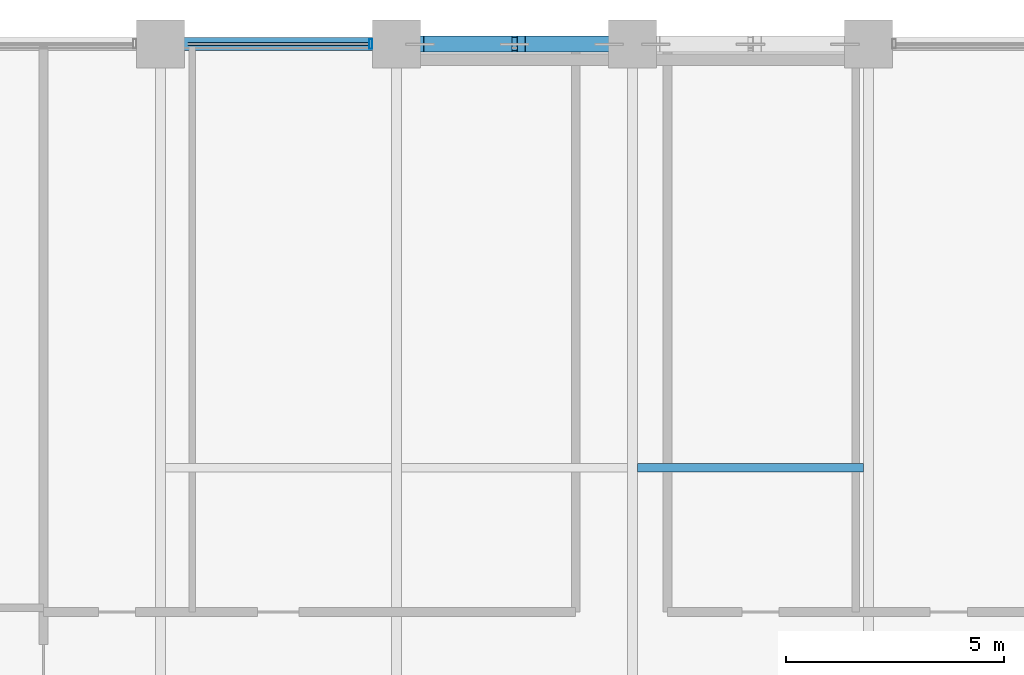
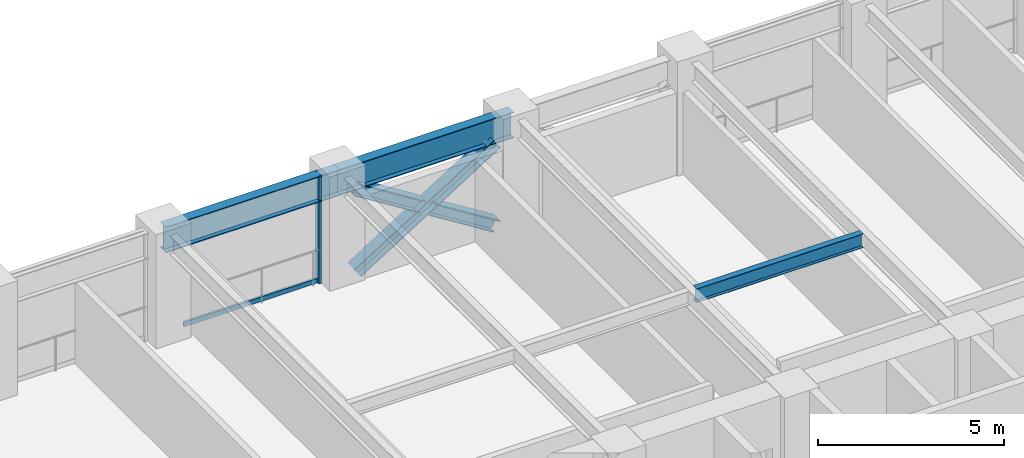
# One storey, part 14 of 30: 5 members, 3 beams, 1 element without a shape of its own.
"""IFC4 building model written with IfcOpenShell, lengths in metres."""

import ifcopenshell
import ifcopenshell.guid

model = None  # the IFC model being written
_history = None  # IfcOwnerHistory: only IFC2X3 demands one
_inside = {}  # id of a spatial element -> (the spatial element, [elements in it])
_under = {}  # id of a project, library or spatial element -> (it, [spatial elements below it])
_declared = {}  # id of a project -> (the project, [libraries it declares])
_typed = {}  # id of a type object -> (the type object, [elements of that type])
_made_of = {}  # id of a material, layer set ... -> (it, [elements and type objects made of it])


def new_model(schema):
    """Start an empty IFC model of exactly this schema.

    Asked for "IFC4X3", IfcOpenShell would pick the latest addendum, in which some entities
    have other attributes; the version numbers below select the first issue.
    IFC2X3 requires an IfcOwnerHistory on every rooted entity: one is made here for all.
    """
    global model, _history
    if schema == "IFC4X3":
        model = ifcopenshell.file(schema_version=(4, 3, 0, 0))
    else:
        model = ifcopenshell.file(schema=schema)
    _inside.clear()
    _under.clear()
    _declared.clear()
    _typed.clear()
    _made_of.clear()
    _history = None
    if model.schema == "IFC2X3":
        org = make("IfcOrganization", Name="unknown")
        user = make(
            "IfcPersonAndOrganization",
            ThePerson=make("IfcPerson", FamilyName="unknown"),
            TheOrganization=org,
        )
        app = make(
            "IfcApplication",
            ApplicationDeveloper=org,
            Version="unknown",
            ApplicationFullName="unknown",
            ApplicationIdentifier="unknown",
        )
        _history = make(
            "IfcOwnerHistory",
            OwningUser=user,
            OwningApplication=app,
            ChangeAction="ADDED",
            CreationDate=0,
        )
    return model


def make(cls, **values):
    """One entity of the class cls with the attributes given. An attribute that is None is left unset."""
    return model.create_entity(
        cls, **{name: value for name, value in values.items() if value is not None}
    )


def rooted(cls, **values):
    """An entity with a GlobalId (a new one), such as an element, a storey or a relation."""
    return make(cls, GlobalId=ifcopenshell.guid.new(), OwnerHistory=_history, **values)


def si_unit(unit_type, name, prefix=None):
    """IfcSIUnit, for example si_unit("LENGTHUNIT", "METRE", prefix="MILLI")."""
    return make("IfcSIUnit", UnitType=unit_type, Prefix=prefix, Name=name)


def assignment(units):
    """IfcUnitAssignment: the units of a project."""
    return None if units is None else make("IfcUnitAssignment", Units=units)


def point(xyz):
    """IfcCartesianPoint."""
    return None if xyz is None else make("IfcCartesianPoint", Coordinates=xyz)


def direction(xyz):
    """IfcDirection."""
    return None if xyz is None else make("IfcDirection", DirectionRatios=xyz)


def frame(location, z_axis=None, x_axis=None):
    """IfcAxis2Placement3D, a coordinate frame: its origin and axes. An axis left out is left unset."""
    return make(
        "IfcAxis2Placement3D",
        Location=point(location),
        Axis=direction(z_axis),
        RefDirection=direction(x_axis),
    )


def frame_2d(location, x_axis=None):
    """IfcAxis2Placement2D, a coordinate frame in the plane: its origin and x axis."""
    return make(
        "IfcAxis2Placement2D", Location=point(location), RefDirection=direction(x_axis)
    )


def origin():
    """The frame at (0, 0, 0) with its axes left unset."""
    return frame((0.0, 0.0, 0.0))


def origin_2d():
    """The frame at (0, 0) in the plane with its x axis left unset."""
    return frame_2d((0.0, 0.0))


def place(relative_to, where):
    """IfcLocalPlacement: puts the frame where relative to a parent placement (None: the world)."""
    return make(
        "IfcLocalPlacement", PlacementRelTo=relative_to, RelativePlacement=where
    )


def context(
    kind, dimensions, precision=None, world=None, true_north=None, identifier=None
):
    """IfcGeometricRepresentationContext, for example the 3D "Model" context."""
    return make(
        "IfcGeometricRepresentationContext",
        ContextIdentifier=identifier,
        ContextType=kind,
        CoordinateSpaceDimension=dimensions,
        Precision=precision,
        WorldCoordinateSystem=world,
        TrueNorth=true_north,
    )


def subcontext(parent, identifier, kind, view, scale=None):
    """IfcGeometricRepresentationSubContext, for example "Body" below "Model"."""
    return make(
        "IfcGeometricRepresentationSubContext",
        ContextIdentifier=identifier,
        ContextType=kind,
        ParentContext=parent,
        TargetScale=scale,
        TargetView=view,
    )


def project(units=None, contexts=None):
    """IfcProject with its units and contexts."""
    return rooted(
        "IfcProject",
        Name="project",
        RepresentationContexts=contexts,
        UnitsInContext=assignment(units),
    )


def spatial(cls, under=None, at=None, **own):
    """A site, building, storey or space (cls), placed at a placement, below another one or the project."""
    s = rooted(cls, ObjectPlacement=at, **own)
    if under is not None:
        _under.setdefault(under.id(), (under, []))[1].append(s)
    return s


def profile(cls, at=None, kind="AREA", **sizes):
    """A parametric profile (cls). Its sizes go by their IFC names, for example OverallWidth=200.0."""
    return make(cls, ProfileType=kind, Position=at, **sizes)


def hollow_rectangle(**sizes):
    """IfcRectangleHollowProfileDef."""
    return profile("IfcRectangleHollowProfileDef", **sizes)


def i_section(**sizes):
    """IfcIShapeProfileDef."""
    return profile("IfcIShapeProfileDef", **sizes)


def extrude(swept, where, along, depth):
    """IfcExtrudedAreaSolid: the profile swept, set in the frame where, extruded along a direction by depth."""
    return make(
        "IfcExtrudedAreaSolid",
        SweptArea=swept,
        Position=where,
        ExtrudedDirection=direction(along),
        Depth=depth,
    )


def shape(context_of_items, identifier, shape_type, items):
    """IfcShapeRepresentation: the items that make up one representation, for example the "Body"."""
    return make(
        "IfcShapeRepresentation",
        ContextOfItems=context_of_items,
        RepresentationIdentifier=identifier,
        RepresentationType=shape_type,
        Items=items,
    )


def material(Name=None, Category=None):
    """IfcMaterial."""
    return make("IfcMaterial", Name=Name, Category=Category)


def layer(
    of_material, thickness, ventilated=None, Name=None, Category=None, Priority=None
):
    """IfcMaterialLayer: one layer of a wall or slab, of a material (None: an air gap)."""
    return make(
        "IfcMaterialLayer",
        Material=of_material,
        LayerThickness=thickness,
        IsVentilated=ventilated,
        Name=Name,
        Category=Category,
        Priority=Priority,
    )


def layer_set(layers, Name=None):
    """IfcMaterialLayerSet."""
    return make("IfcMaterialLayerSet", MaterialLayers=layers, LayerSetName=Name)


def material_profile(
    of_material, cross_section, Name=None, Category=None, Priority=None
):
    """IfcMaterialProfile: a cross section and its material."""
    return make(
        "IfcMaterialProfile",
        Name=Name,
        Material=of_material,
        Profile=cross_section,
        Priority=Priority,
        Category=Category,
    )


def profile_set(profiles, Name=None, composite=None):
    """IfcMaterialProfileSet."""
    return make(
        "IfcMaterialProfileSet",
        Name=Name,
        MaterialProfiles=profiles,
        CompositeProfile=composite,
    )


def made_of(thing, what):
    """Note that an element or type object is made of a material, layer set ...; save() writes the relation."""
    if what is not None:
        _made_of.setdefault(what.id(), (what, []))[1].append(thing)
    return thing


def type_object(cls, material=None, **own):
    """A type object (cls), such as IfcWallType, which elements share."""
    return made_of(rooted(cls, **own), material)


def element(
    cls,
    number,
    at=None,
    inside=None,
    cuts=None,
    type_object=None,
    material=None,
    context=None,
    identifier="Body",
    shape_type=None,
    held_by="IfcProductDefinitionShape",
    body=None,
    shapes=None,
    **own,
):
    """One element of the class cls, such as IfcWall. Its Tag is "e" and its number.

    at: its placement. inside: the storey or other place that contains it. cuts: it is an
    opening in that element (IfcRelVoidsElement). A single representation is given by context,
    identifier, shape_type and body (its items); several are given by shapes. held_by: the class
    of the entity that holds the representations. save() writes the other relations.
    """
    e = rooted(cls, Tag="e%d" % number, ObjectPlacement=at, **own)
    if body is not None:
        shapes = [shape(context, identifier, shape_type, body)]
    if shapes is not None:
        e.Representation = make(held_by, Representations=shapes)
    if inside is not None:
        _inside.setdefault(inside.id(), (inside, []))[1].append(e)
    if cuts is not None:
        rooted(
            "IfcRelVoidsElement", RelatingBuildingElement=cuts, RelatedOpeningElement=e
        )
    if type_object is not None:
        _typed.setdefault(type_object.id(), (type_object, []))[1].append(e)
    return made_of(e, material)


def aggregate(whole, parts):
    """IfcRelAggregates: a whole, such as a stair, and the parts it consists of."""
    return rooted("IfcRelAggregates", RelatingObject=whole, RelatedObjects=parts)


def save(model, path):
    """Write the relations noted so far, then the file.

    IfcRelAggregates (storeys below a building ...), IfcRelContainedInSpatialStructure (elements
    in a storey), IfcRelDefinesByType, IfcRelAssociatesMaterial and IfcRelDeclares: one each for
    every whole, place, type object, material and project.
    """
    for whole, parts in _under.values():
        aggregate(whole, parts)
    for where, things in _inside.values():
        rooted(
            "IfcRelContainedInSpatialStructure",
            RelatedElements=things,
            RelatingStructure=where,
        )
    for kind, things in _typed.values():
        rooted("IfcRelDefinesByType", RelatedObjects=things, RelatingType=kind)
    for what, things in _made_of.values():
        rooted("IfcRelAssociatesMaterial", RelatedObjects=things, RelatingMaterial=what)
    for by, libraries in _declared.values():
        rooted("IfcRelDeclares", RelatingContext=by, RelatedDefinitions=libraries)
    model.write(path)


model = new_model("IFC4")

# Units and contexts
model_context = context("Model", 3, precision=1e-05, world=origin(), true_north=direction((0.0, 1.0)))
body_context = subcontext(model_context, "Body", "Model", "MODEL_VIEW")
ifc_project = project(units=[si_unit("LENGTHUNIT", "METRE"), si_unit("AREAUNIT", "SQUARE_METRE"), si_unit("VOLUMEUNIT", "CUBIC_METRE"), si_unit("PLANEANGLEUNIT", "RADIAN"), si_unit("MASSUNIT", "GRAM", prefix="KILO")], contexts=[model_context])

# Site, building, storey
site_placement = place(None, origin())
site = spatial("IfcSite", under=ifc_project, at=site_placement, CompositionType="ELEMENT")
building_placement = place(site_placement, origin())
building = spatial("IfcBuilding", under=site, at=building_placement, Name="Surkhivell Harbour Commons", CompositionType="ELEMENT")
storey_placement = place(building_placement, frame((0.0, 0.0, 83.25)))
storey = spatial("IfcBuildingStorey", under=building, at=storey_placement, Name="L21", CompositionType="ELEMENT", Elevation=83.25)

# Beams
ifc_material_1 = material(Name="Steel S355", Category="steel")
ifc_material_profile_1 = material_profile(ifc_material_1, i_section(OverallWidth=0.18994140625, OverallDepth=0.45703125, WebThickness=0.009033203125, FlangeThickness=0.014404296875, at=origin_2d()), Name="UB457x191x74")
ifc_profile_set_1 = profile_set([ifc_material_profile_1], Name="Steel S355")
beam_type_1 = type_object("IfcBeamType", Name="BM-JST-457B", PredefinedType="JOIST", material=ifc_profile_set_1)
beam_1_placement = place(storey_placement, frame((0.113037109375, 16.199951171875, 3.341552734375), z_axis=(1.0, 0.0, 0.0), x_axis=(0.0, 1.0, 0.0)))
element("IfcBeam", 1, at=beam_1_placement, inside=storey, type_object=beam_type_1, Name="L21 North Composite Joist (0.0)", PredefinedType="JOIST", context=body_context, shape_type="SweptSolid", body=[
    extrude(i_section(OverallWidth=0.18994140625, OverallDepth=0.45703125, WebThickness=0.009033203125, FlangeThickness=0.014404296875, at=origin_2d()), origin(), (0.0, 0.0, 1.0), 5.174072265625),
])
ifc_material_2 = material(Name="Steel S460", Category="steel")
ifc_material_profile_2 = material_profile(ifc_material_2, i_section(OverallWidth=0.2939453125, OverallDepth=0.85107421875, WebThickness=0.01611328125, FlangeThickness=0.02685546875, at=origin_2d()), Name="UB838x292x226")
ifc_profile_set_2 = profile_set([ifc_material_profile_2], Name="Steel S460")
beam_type_2 = type_object("IfcBeamType", Name="BM-SPN-838", PredefinedType="SPANDREL", material=ifc_profile_set_2)
beam_2_placement = place(storey_placement, frame((-10.800048828125, 25.89990234375, 3.14453125), z_axis=(1.0, 0.0, 0.0), x_axis=(0.0, 1.0, 0.0)))
element("IfcBeam", 2, at=beam_2_placement, inside=storey, type_object=beam_type_2, Name="L21 Tube Spandrel (-10.8,25.9)", PredefinedType="SPANDREL", context=body_context, shape_type="SweptSolid", body=[
    extrude(i_section(OverallWidth=0.2939453125, OverallDepth=0.85107421875, WebThickness=0.01611328125, FlangeThickness=0.02685546875, at=origin_2d()), origin(), (0.0, 0.0, 1.0), 5.400146484375),
])
beam_3_placement = place(storey_placement, frame((-5.39990234375, 25.89990234375, 3.14453125), z_axis=(1.0, 0.0, 0.0), x_axis=(0.0, 1.0, 0.0)))
element("IfcBeam", 3, at=beam_3_placement, inside=storey, type_object=beam_type_2, Name="L21 Tube Spandrel (-5.4,25.9)", PredefinedType="SPANDREL", context=body_context, shape_type="SweptSolid", body=[
    extrude(i_section(OverallWidth=0.2939453125, OverallDepth=0.85107421875, WebThickness=0.01611328125, FlangeThickness=0.02685546875, at=origin_2d()), origin(), (0.0, 0.0, 1.0), 5.39990234375),
])

# Curtain wall, members
ifc_material_3 = material(Name="Anodised pale-metal aluminium and insulated glazing", Category="aluminium")
ifc_layer = layer(ifc_material_3, 0.205078125)
ifc_layer_set = layer_set([ifc_layer], Name="Anodised pale-metal aluminium and insulated glazing")
curtain_wall_type = type_object("IfcCurtainWallType", Name="CW-SYS-Z2", PredefinedType="NOTDEFINED", material=ifc_layer_set)
curtain_wall_placement = place(storey_placement, origin())
curtain_wall = element("IfcCurtainWall", 4, at=curtain_wall_placement, inside=storey, type_object=curtain_wall_type, Name="L21 Curtain Wall CW-L21-E07S2", PredefinedType="NOTDEFINED")
ifc_material_4 = material(Name="Anodised pale-metal aluminium alloy 6063-T6", Category="aluminium")
ifc_material_profile_3 = material_profile(ifc_material_4, hollow_rectangle(XDim=0.074951171875, YDim=0.219970703125, WallThickness=0.00390625, at=origin_2d()), Name="ALU-MULL-75x220")
ifc_profile_set_3 = profile_set([ifc_material_profile_3], Name="Anodised pale-metal aluminium alloy 6063-T6")
member_type_1 = type_object("IfcMemberType", Name="CWM-220", PredefinedType="MULLION", material=ifc_profile_set_3)
member_1_placement = place(storey_placement, frame((-5.989501953125, 25.89990234375, 0.0), z_axis=(0.0, 0.0, 1.0), x_axis=(-1.0, 0.0, 0.0)))
member_1 = element("IfcMember", 5, at=member_1_placement, type_object=member_type_1, Name="CW-Z2 mullion 1", PredefinedType="MULLION", context=body_context, shape_type="SweptSolid", body=[
    extrude(hollow_rectangle(XDim=0.074951171875, YDim=0.219970703125, WallThickness=0.00390625, at=origin_2d()), origin(), (0.0, 0.0, 1.0), 3.570068359375),
])
ifc_material_profile_4 = material_profile(ifc_material_4, hollow_rectangle(XDim=0.074951171875, YDim=0.14990234375, WallThickness=0.00341796875, at=origin_2d()), Name="ALU-TRAN-75x150")
ifc_profile_set_4 = profile_set([ifc_material_profile_4], Name="Anodised pale-metal aluminium alloy 6063-T6")
member_type_2 = type_object("IfcMemberType", Name="CWT-150", PredefinedType="USERDEFINED", material=ifc_profile_set_4)
member_2_placement = place(storey_placement, frame((-6.027099609375, 25.89990234375, 0.074951171875), z_axis=(-1.0, 0.0, 0.0), x_axis=(0.0, -1.0, 0.0)))
member_2 = element("IfcMember", 6, at=member_2_placement, type_object=member_type_2, Name="CW-Z2 transom 1.1", ObjectType="TRANSOM", PredefinedType="USERDEFINED", context=body_context, shape_type="SweptSolid", body=[
    extrude(hollow_rectangle(XDim=0.074951171875, YDim=0.14990234375, WallThickness=0.00341796875, at=origin_2d()), origin(), (0.0, 0.0, 1.0), 4.14599609375),
])
aggregate(curtain_wall, [member_1, member_2])

# Members
ifc_material_profile_5 = material_profile(ifc_material_2, i_section(OverallWidth=0.375, OverallDepth=0.375, WebThickness=0.0166015625, FlangeThickness=0.027099609375, at=origin_2d()), Name="UC356x368x202")
ifc_profile_set_5 = profile_set([ifc_material_profile_5], Name="Steel S460")
member_type_3 = type_object("IfcMemberType", Name="MEM-BRC-UC356", PredefinedType="BRACE", material=ifc_profile_set_5)
member_3_placement = place(storey_placement, frame((-4.864990234375, 25.89990234375, 0.008056640625), z_axis=(0.847246015888, 0.0, 0.531200704594), x_axis=(0.0, 1.0, 0.0)))
element("IfcMember", 7, at=member_3_placement, inside=storey, type_object=member_type_3, Name="L21 Perimeter Mega-Brace MB- 01", PredefinedType="BRACE", context=body_context, shape_type="SweptSolid", body=[
    extrude(i_section(OverallWidth=0.375, OverallDepth=0.375, WebThickness=0.0166015625, FlangeThickness=0.027099609375, at=origin_2d()), origin(), (0.0, 0.0, 1.0), 5.11083984375),
])
member_4_placement = place(storey_placement, frame((-0.534912109375, 25.89990234375, 0.008056640625), z_axis=(-0.8472353132, 0.0, 0.531217774615), x_axis=(0.0, -1.0, 0.0)))
element("IfcMember", 8, at=member_4_placement, inside=storey, type_object=member_type_3, Name="L21 Perimeter Mega-Brace MB- 02", PredefinedType="BRACE", context=body_context, shape_type="SweptSolid", body=[
    extrude(i_section(OverallWidth=0.375, OverallDepth=0.375, WebThickness=0.0166015625, FlangeThickness=0.027099609375, at=origin_2d()), origin(), (0.0, 0.0, 1.0), 2.37548828125),
])
member_5_placement = place(storey_placement, frame((-2.8525390625, 25.89990234375, 1.461181640625), z_axis=(-0.84725256761, 0.0, 0.53119025469), x_axis=(0.0, -1.0, 0.0)))
element("IfcMember", 9, at=member_5_placement, inside=storey, type_object=member_type_3, Name="L21 Perimeter Mega-Brace MB- 03", PredefinedType="BRACE", context=body_context, shape_type="SweptSolid", body=[
    extrude(i_section(OverallWidth=0.375, OverallDepth=0.375, WebThickness=0.0166015625, FlangeThickness=0.027099609375, at=origin_2d()), origin(), (0.0, 0.0, 1.0), 2.375244140625),
])

save(model, "model.ifc")
